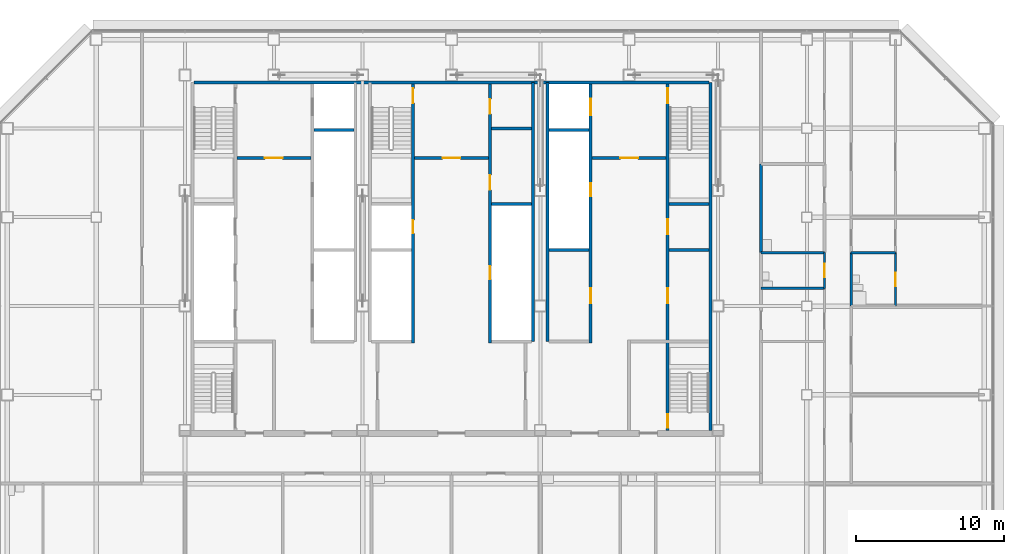
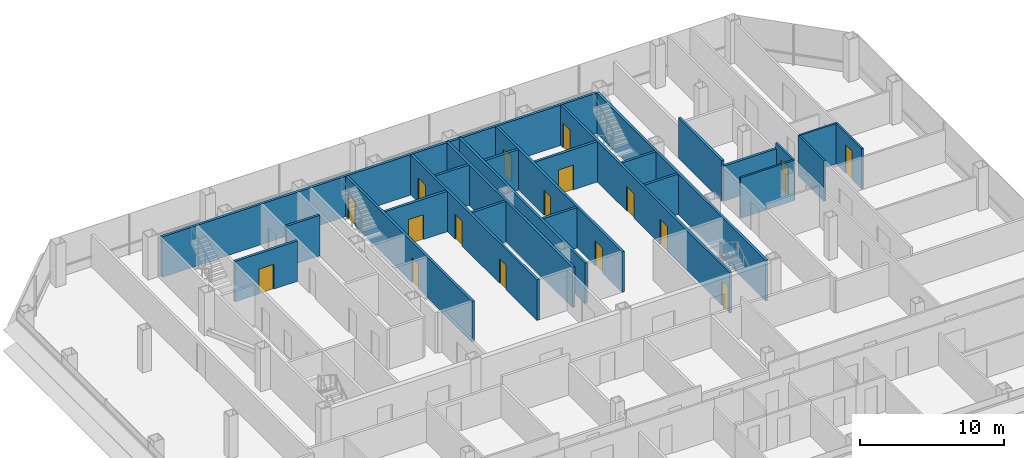
# One storey, part 22 of 25: 25 walls, 17 doors, 17 openings.
"""IFC4 building model written with IfcOpenShell, lengths in metres."""

from ifc_helpers import new_model, si_unit, direction, frame, frame_2d, origin, place, context, subcontext, project, spatial, rectangle, extrude, material, layer, layer_set, type_object, element, fill, save


model = new_model("IFC4")

# Units and contexts
model_context = context("Model", 3, precision=1e-05, world=origin(), true_north=direction((0.0, 1.0)))
body_context = subcontext(model_context, "Body", "Model", "MODEL_VIEW")
ifc_project = project(units=[si_unit("LENGTHUNIT", "METRE"), si_unit("AREAUNIT", "SQUARE_METRE"), si_unit("VOLUMEUNIT", "CUBIC_METRE"), si_unit("PLANEANGLEUNIT", "RADIAN"), si_unit("MASSUNIT", "GRAM", prefix="KILO")], contexts=[model_context])

# Site, building, storey
site_placement = place(None, origin())
site = spatial("IfcSite", under=ifc_project, at=site_placement, CompositionType="ELEMENT")
building_placement = place(site_placement, origin())
building = spatial("IfcBuilding", under=site, at=building_placement, Name="Sorahane Residences", CompositionType="ELEMENT")
storey_placement = place(building_placement, frame((0.0, 0.0, 123.199951171875)))
storey = spatial("IfcBuildingStorey", under=building, at=storey_placement, Name="L27", CompositionType="ELEMENT", Elevation=123.199951171875)

# Walls
ifc_material_1 = material(Name="Concrete C30", Category="concrete")
ifc_layer_1 = layer(ifc_material_1, 0.199951171875)
ifc_layer_set_1 = layer_set([ifc_layer_1], Name="Core face wall 200 EI 180")
wall_type_1 = type_object("IfcWallType", Name="Core face wall 200 EI 180", PredefinedType="SOLIDWALL", material=ifc_layer_set_1)
wall_1_placement = place(storey_placement, frame((41.5, 21.60009765625, 0.0), z_axis=(0.0, 0.0, 1.0), x_axis=(0.0, 1.0, 0.0)))
element("IfcWall", 1, at=wall_1_placement, inside=storey, type_object=wall_type_1, Name="L27 core face wall", PredefinedType="SOLIDWALL", context=body_context, shape_type="SweptSolid", body=[
    extrude(rectangle(XDim=23.5, YDim=0.199951171875, at=frame_2d((11.75, 0.0))), origin(), (0.0, 0.0, 1.0), 3.420166015625),
])
wall_2_placement = place(storey_placement, frame((6.60009765625, 45.10009765625, 0.0), z_axis=(0.0, 0.0, 1.0), x_axis=(1.0, 0.0, 0.0)))
element("IfcWall", 2, at=wall_2_placement, inside=storey, type_object=wall_type_1, Name="L27 core face wall", PredefinedType="SOLIDWALL", context=body_context, shape_type="SweptSolid", body=[
    extrude(rectangle(XDim=34.7998046875, YDim=0.199951171875, at=frame_2d((17.39990234375, 0.0))), origin(), (0.0, 0.0, 1.0), 3.420166015625),
])
for number, where, z_axis, x_axis, name in (
    (3, (29.5, 27.60009765625, 0.0), (0.0, 0.0, 1.0), (0.0, 1.0, 0.0), "L27 core face wall"),
    (4, (30.5, 27.60009765625, 0.0), (0.0, 0.0, 1.0), (0.0, 1.0, 0.0), "L27 core face wall"),
):
    element("IfcWall", number, at=place(storey_placement, frame(where, z_axis=z_axis, x_axis=x_axis)), inside=storey, type_object=wall_type_1, Name=name, PredefinedType="SOLIDWALL", context=body_context, shape_type="SweptSolid", body=[
        extrude(rectangle(XDim=17.5, YDim=0.199951171875, at=frame_2d((8.75, 0.0))), origin(), (0.0, 0.0, 1.0), 3.420166015625),
    ])

# Wall, opening, door
ifc_material_2 = material(Name="Concrete C30", Category="concrete")
ifc_layer_2 = layer(ifc_material_2, 0.199951171875)
ifc_layer_set_2 = layer_set([ifc_layer_2], Name="Front room wall 200 EI 120")
wall_type_2 = type_object("IfcWallType", Name="Front room wall 200 EI 120", PredefinedType="PARTITIONING", material=ifc_layer_set_2)
wall_3_placement = place(storey_placement, frame((21.5, 40.0, 0.0), z_axis=(0.0, 0.0, 1.0), x_axis=(1.0, 0.0, 0.0)))
wall_3 = element("IfcWall", 5, at=wall_3_placement, inside=storey, type_object=wall_type_2, Name="L27 front room wall", PredefinedType="PARTITIONING", context=body_context, shape_type="SweptSolid", body=[
    extrude(rectangle(XDim=5.0, YDim=0.199951171875, at=frame_2d((2.5, 0.0))), origin(), (0.0, 0.0, 1.0), 3.420166015625),
])
opening_1_placement = place(wall_3_placement, frame((1.89990234375, 0.0, 0.0)))
opening_1 = element("IfcOpeningElement", 6, at=opening_1_placement, cuts=wall_3, Name="Opening L27-C09", PredefinedType="OPENING", context=body_context, shape_type="SweptSolid", body=[
    extrude(rectangle(XDim=1.199951171875, YDim=2.10009765625, at=frame_2d((0.60009765625, 1.050048828125))), frame((0.0, 0.10986328125, 0.0), z_axis=(0.0, -1.0, 0.0), x_axis=(1.0, 0.0, 0.0)), (0.0, 0.0, 1.0), 0.219970703125),
])
ifc_material_3 = material(Name="Steel", Category="steel")
door_type_1 = type_object("IfcDoorType", Name="Front room door 1200x2100 FD120", OperationType="NOTDEFINED", PredefinedType="DOOR", material=ifc_material_3)
door_1_placement = place(opening_1_placement, frame((1.199951171875, 0.0, 0.0), z_axis=(0.0, 0.0, 1.0), x_axis=(-1.0, 0.0, 0.0)))
door_1 = element("IfcDoor", 7, at=door_1_placement, inside=storey, type_object=door_type_1, Name="Front room door Stair S3 vestibule L27", OperationType="DOUBLE_DOOR_SINGLE_SWING", OverallHeight=2.10009765625, OverallWidth=1.199951171875, PredefinedType="DOOR", context=body_context, shape_type="SweptSolid", body=[
    extrude(rectangle(XDim=1.199951171875, YDim=2.10009765625, at=frame_2d((0.60009765625, 1.050048828125))), frame((0.0, 0.02490234375, 0.0), z_axis=(0.0, -1.0, 0.0), x_axis=(1.0, 0.0, 0.0)), (0.0, 0.0, 1.0), 0.050048828125),
])
fill(opening_1, door_1)

wall_4_placement = place(storey_placement, frame((33.5, 40.0, 0.0), z_axis=(0.0, 0.0, 1.0), x_axis=(1.0, 0.0, 0.0)))
wall_4 = element("IfcWall", 8, at=wall_4_placement, inside=storey, type_object=wall_type_2, Name="L27 front room wall", PredefinedType="PARTITIONING", context=body_context, shape_type="SweptSolid", body=[
    extrude(rectangle(XDim=5.0, YDim=0.199951171875, at=frame_2d((2.5, 0.0))), origin(), (0.0, 0.0, 1.0), 3.420166015625),
])
opening_2_placement = place(wall_4_placement, frame((1.89990234375, 0.0, 0.0)))
opening_2 = element("IfcOpeningElement", 9, at=opening_2_placement, cuts=wall_4, Name="Opening L27-C10", PredefinedType="OPENING", context=body_context, shape_type="SweptSolid", body=[
    extrude(rectangle(XDim=1.199951171875, YDim=2.10009765625, at=frame_2d((0.60009765625, 1.050048828125))), frame((0.0, 0.10986328125, 0.0), z_axis=(0.0, -1.0, 0.0), x_axis=(1.0, 0.0, 0.0)), (0.0, 0.0, 1.0), 0.219970703125),
])
door_2_placement = place(opening_2_placement, frame((1.199951171875, 0.0, 0.0), z_axis=(0.0, 0.0, 1.0), x_axis=(-1.0, 0.0, 0.0)))
door_2 = element("IfcDoor", 10, at=door_2_placement, inside=storey, type_object=door_type_1, Name="Front room door Firefighting lobby FF2 front room L27", OperationType="DOUBLE_DOOR_SINGLE_SWING", OverallHeight=2.10009765625, OverallWidth=1.199951171875, PredefinedType="DOOR", context=body_context, shape_type="SweptSolid", body=[
    extrude(rectangle(XDim=1.199951171875, YDim=2.10009765625, at=frame_2d((0.60009765625, 1.050048828125))), frame((0.0, 0.02490234375, 0.0), z_axis=(0.0, -1.0, 0.0), x_axis=(1.0, 0.0, 0.0)), (0.0, 0.0, 1.0), 0.050048828125),
])
fill(opening_2, door_2)

wall_5_placement = place(storey_placement, frame((9.5, 40.0, 0.0), z_axis=(0.0, 0.0, 1.0), x_axis=(1.0, 0.0, 0.0)))
wall_5 = element("IfcWall", 11, at=wall_5_placement, inside=storey, type_object=wall_type_2, Name="L27 front room wall", PredefinedType="PARTITIONING", context=body_context, shape_type="SweptSolid", body=[
    extrude(rectangle(XDim=5.0, YDim=0.199951171875, at=frame_2d((2.5, 0.0))), origin(), (0.0, 0.0, 1.0), 3.420166015625),
])
opening_3_placement = place(wall_5_placement, frame((1.89990234375, 0.0, 0.0)))
opening_3 = element("IfcOpeningElement", 12, at=opening_3_placement, cuts=wall_5, Name="Opening L27-C08", PredefinedType="OPENING", context=body_context, shape_type="SweptSolid", body=[
    extrude(rectangle(XDim=1.199951171875, YDim=2.10009765625, at=frame_2d((0.60009765625, 1.050048828125))), frame((0.0, 0.10986328125, 0.0), z_axis=(0.0, -1.0, 0.0), x_axis=(1.0, 0.0, 0.0)), (0.0, 0.0, 1.0), 0.219970703125),
])
door_3_placement = place(opening_3_placement, frame((1.199951171875, 0.0, 0.0), z_axis=(0.0, 0.0, 1.0), x_axis=(-1.0, 0.0, 0.0)))
door_3 = element("IfcDoor", 13, at=door_3_placement, inside=storey, type_object=door_type_1, Name="Front room door Firefighting lobby FF1 front room L27", OperationType="DOUBLE_DOOR_SINGLE_SWING", OverallHeight=2.10009765625, OverallWidth=1.199951171875, PredefinedType="DOOR", context=body_context, shape_type="SweptSolid", body=[
    extrude(rectangle(XDim=1.199951171875, YDim=2.10009765625, at=frame_2d((0.60009765625, 1.050048828125))), frame((0.0, 0.02490234375, 0.0), z_axis=(0.0, -1.0, 0.0), x_axis=(1.0, 0.0, 0.0)), (0.0, 0.0, 1.0), 0.050048828125),
])
fill(opening_3, door_3)

# Walls
ifc_material_4 = material(Name="Concrete blockwork C20 wall", Category="masonry")
ifc_layer_3 = layer(ifc_material_4, 0.199951171875)
ifc_layer_set_3 = layer_set([ifc_layer_3], Name="Kitchen wall 200 EI 180")
wall_type_3 = type_object("IfcWallType", Name="Kitchen wall 200 EI 180", PredefinedType="SOLIDWALL", material=ifc_layer_set_3)
wall_6_placement = place(storey_placement, frame((44.89990234375, 33.60009765625, 0.0), z_axis=(0.0, 0.0, 1.0), x_axis=(0.0, 1.0, 0.0)))
element("IfcWall", 14, at=wall_6_placement, inside=storey, type_object=wall_type_3, Name="L27 kitchen wall", PredefinedType="SOLIDWALL", context=body_context, shape_type="SweptSolid", body=[
    extrude(rectangle(XDim=6.0, YDim=0.199951171875, at=frame_2d((3.0, 0.0))), origin(), (0.0, 0.0, 1.0), 3.420166015625),
])
wall_7_placement = place(storey_placement, frame((44.89990234375, 33.60009765625, 0.0), z_axis=(0.0, 0.0, 1.0), x_axis=(1.0, 0.0, 0.0)))
element("IfcWall", 15, at=wall_7_placement, inside=storey, type_object=wall_type_3, Name="L27 kitchen wall", PredefinedType="SOLIDWALL", context=body_context, shape_type="SweptSolid", body=[
    extrude(rectangle(XDim=4.300048828125, YDim=0.199951171875, at=frame_2d((2.14990234375, 0.0))), origin(), (0.0, 0.0, 1.0), 2.969970703125),
])

# Wall, openings, doors
ifc_material_5 = material(Name="Concrete C30", Category="concrete")
ifc_layer_4 = layer(ifc_material_5, 0.199951171875)
ifc_layer_set_4 = layer_set([ifc_layer_4], Name="Lift shaft wall 200 EI 120")
wall_type_4 = type_object("IfcWallType", Name="Lift shaft wall 200 EI 120", PredefinedType="SOLIDWALL", material=ifc_layer_set_4)
wall_8_placement = place(storey_placement, frame((33.39990234375, 27.5, 0.0), z_axis=(0.0, 0.0, 1.0), x_axis=(0.0, 1.0, 0.0)))
wall_8 = element("IfcWall", 16, at=wall_8_placement, inside=storey, type_object=wall_type_4, Name="L27 lift shaft wall", PredefinedType="SOLIDWALL", context=body_context, shape_type="SweptSolid", body=[
    extrude(rectangle(XDim=17.5, YDim=0.199951171875, at=frame_2d((8.75, 0.0))), origin(), (0.0, 0.0, 1.0), 3.420166015625),
])
opening_4_placement = place(wall_8_placement, frame((15.39990234375, 0.0, 0.0)))
opening_4 = element("IfcOpeningElement", 17, at=opening_4_placement, cuts=wall_8, Name="Opening L27-C11", PredefinedType="OPENING", context=body_context, shape_type="SweptSolid", body=[
    extrude(rectangle(XDim=1.10009765625, YDim=2.10009765625, at=frame_2d((0.550048828125, 1.050048828125))), frame((0.0, 0.10986328125, 0.0), z_axis=(0.0, -1.0, 0.0), x_axis=(1.0, 0.0, 0.0)), (0.0, 0.0, 1.0), 0.219970703125),
])
opening_5_placement = place(wall_8_placement, frame((2.699951171875, 0.0, 0.0)))
opening_5 = element("IfcOpeningElement", 18, at=opening_5_placement, cuts=wall_8, Name="Opening L27-C20", PredefinedType="OPENING", context=body_context, shape_type="SweptSolid", body=[
    extrude(rectangle(XDim=1.0, YDim=2.10009765625, at=frame_2d((0.5, 1.050048828125))), frame((0.0, 0.10986328125, 0.0), z_axis=(0.0, -1.0, 0.0), x_axis=(1.0, 0.0, 0.0)), (0.0, 0.0, 1.0), 0.219970703125),
])
opening_6_placement = place(wall_8_placement, frame((9.89990234375, 0.0, 0.0)))
opening_6 = element("IfcOpeningElement", 19, at=opening_6_placement, cuts=wall_8, Name="Opening L27-C27", PredefinedType="OPENING", context=body_context, shape_type="SweptSolid", body=[
    extrude(rectangle(XDim=0.89990234375, YDim=2.10009765625, at=frame_2d((0.449951171875, 1.050048828125))), frame((0.0, 0.10986328125, 0.0), z_axis=(0.0, -1.0, 0.0), x_axis=(1.0, 0.0, 0.0)), (0.0, 0.0, 1.0), 0.219970703125),
])
ifc_material_6 = material(Name="Aluminium and stainless steel", Category="steel")
door_type_2 = type_object("IfcDoorType", Name="Lift landing door 1100x2100 E 60", OperationType="NOTDEFINED", PredefinedType="DOOR", material=ifc_material_6)
door_4_placement = place(opening_4_placement, origin())
door_4 = element("IfcDoor", 20, at=door_4_placement, inside=storey, type_object=door_type_2, Name="Lift landing door FF2 L27", OperationType="DOUBLE_DOOR_SLIDING", OverallHeight=2.10009765625, OverallWidth=1.10009765625, PredefinedType="DOOR", context=body_context, shape_type="SweptSolid", body=[
    extrude(rectangle(XDim=1.10009765625, YDim=2.10009765625, at=frame_2d((0.550048828125, 1.050048828125))), frame((0.0, 0.02490234375, 0.0), z_axis=(0.0, -1.0, 0.0), x_axis=(1.0, 0.0, 0.0)), (0.0, 0.0, 1.0), 0.050048828125),
])
fill(opening_4, door_4)
ifc_material_7 = material(Name="Steel", Category="steel")
door_type_3 = type_object("IfcDoorType", Name="Riser door 900x2100 FD120", OperationType="NOTDEFINED", PredefinedType="DOOR", material=ifc_material_7)
door_5_placement = place(opening_6_placement, frame((0.89990234375, 0.0, 0.0), z_axis=(0.0, 0.0, 1.0), x_axis=(-1.0, 0.0, 0.0)))
door_5 = element("IfcDoor", 21, at=door_5_placement, inside=storey, type_object=door_type_3, Name="Riser door R2 L27", OperationType="SINGLE_SWING_LEFT", OverallHeight=2.10009765625, OverallWidth=0.89990234375, PredefinedType="DOOR", context=body_context, shape_type="SweptSolid", body=[
    extrude(rectangle(XDim=0.89990234375, YDim=2.10009765625, at=frame_2d((0.449951171875, 1.050048828125))), frame((0.0, 0.02490234375, 0.0), z_axis=(0.0, -1.0, 0.0), x_axis=(1.0, 0.0, 0.0)), (0.0, 0.0, 1.0), 0.050048828125),
])
fill(opening_6, door_5)
ifc_material_8 = material(Name="Steel", Category="steel")
door_type_4 = type_object("IfcDoorType", Name="Service room door 1000x2100 FD60", OperationType="NOTDEFINED", PredefinedType="DOOR", material=ifc_material_8)
door_6_placement = place(opening_5_placement, origin())
door_6 = element("IfcDoor", 22, at=door_6_placement, inside=storey, type_object=door_type_4, Name="Service room door Quiet room L27", OperationType="SINGLE_SWING_RIGHT", OverallHeight=2.10009765625, OverallWidth=1.0, PredefinedType="DOOR", context=body_context, shape_type="SweptSolid", body=[
    extrude(rectangle(XDim=1.0, YDim=2.10009765625, at=frame_2d((0.5, 1.050048828125))), frame((0.0, 0.02490234375, 0.0), z_axis=(0.0, -1.0, 0.0), x_axis=(1.0, 0.0, 0.0)), (0.0, 0.0, 1.0), 0.050048828125),
])
fill(opening_5, door_6)

# Walls
for number, where, z_axis, x_axis, name in (
    (23, (14.699951171875, 41.89990234375, 0.0), (0.0, 0.0, 1.0), (1.0, 0.0, 0.0), "L27 lift shaft wall"),
    (24, (30.60009765625, 41.89990234375, 0.0), (0.0, 0.0, 1.0), (1.0, 0.0, 0.0), "L27 lift shaft wall"),
):
    element("IfcWall", number, at=place(storey_placement, frame(where, z_axis=z_axis, x_axis=x_axis)), inside=storey, type_object=wall_type_4, Name=name, PredefinedType="SOLIDWALL", context=body_context, shape_type="SweptSolid", body=[
        extrude(rectangle(XDim=2.699951171875, YDim=0.199951171875, at=frame_2d((1.35009765625, 0.0))), origin(), (0.0, 0.0, 1.0), 3.420166015625),
    ])

# Wall, openings, doors
ifc_material_9 = material(Name="Concrete C30", Category="concrete")
ifc_layer_5 = layer(ifc_material_9, 0.199951171875)
ifc_layer_set_5 = layer_set([ifc_layer_5], Name="Riser shaft wall 200 EI 120")
wall_type_5 = type_object("IfcWallType", Name="Riser shaft wall 200 EI 120", PredefinedType="SOLIDWALL", material=ifc_layer_set_5)
wall_9_placement = place(storey_placement, frame((26.60009765625, 27.5, 0.0), z_axis=(0.0, 0.0, 1.0), x_axis=(0.0, 1.0, 0.0)))
wall_9 = element("IfcWall", 25, at=wall_9_placement, inside=storey, type_object=wall_type_5, Name="L27 riser wall", PredefinedType="SOLIDWALL", context=body_context, shape_type="SweptSolid", body=[
    extrude(rectangle(XDim=17.5, YDim=0.199951171875, at=frame_2d((8.75, 0.0))), origin(), (0.0, 0.0, 1.0), 3.420166015625),
])
opening_7_placement = place(wall_9_placement, frame((4.300048828125, 0.0, 0.0)))
opening_7 = element("IfcOpeningElement", 26, at=opening_7_placement, cuts=wall_9, Name="Opening L27-C29", PredefinedType="OPENING", context=body_context, shape_type="SweptSolid", body=[
    extrude(rectangle(XDim=0.89990234375, YDim=2.10009765625, at=frame_2d((0.449951171875, 1.050048828125))), frame((0.0, 0.10986328125, 0.0), z_axis=(0.0, -1.0, 0.0), x_axis=(1.0, 0.0, 0.0)), (0.0, 0.0, 1.0), 0.219970703125),
])
opening_8_placement = place(wall_9_placement, frame((10.35009765625, 0.0, 0.0)))
opening_8 = element("IfcOpeningElement", 27, at=opening_8_placement, cuts=wall_9, Name="Opening L27-C30", PredefinedType="OPENING", context=body_context, shape_type="SweptSolid", body=[
    extrude(rectangle(XDim=1.0, YDim=2.10009765625, at=frame_2d((0.5, 1.050048828125))), frame((0.0, 0.10986328125, 0.0), z_axis=(0.0, -1.0, 0.0), x_axis=(1.0, 0.0, 0.0)), (0.0, 0.0, 1.0), 0.219970703125),
])
opening_9_placement = place(wall_9_placement, frame((15.47509765625, 0.0, 0.0)))
opening_9 = element("IfcOpeningElement", 28, at=opening_9_placement, cuts=wall_9, Name="Opening L27-C31", PredefinedType="OPENING", context=body_context, shape_type="SweptSolid", body=[
    extrude(rectangle(XDim=1.0, YDim=2.10009765625, at=frame_2d((0.5, 1.050048828125))), frame((0.0, 0.10986328125, 0.0), z_axis=(0.0, -1.0, 0.0), x_axis=(1.0, 0.0, 0.0)), (0.0, 0.0, 1.0), 0.219970703125),
])
door_7_placement = place(opening_7_placement, origin())
door_7 = element("IfcDoor", 29, at=door_7_placement, inside=storey, type_object=door_type_3, Name="Riser door R4 L27", OperationType="SINGLE_SWING_LEFT", OverallHeight=2.10009765625, OverallWidth=0.89990234375, PredefinedType="DOOR", context=body_context, shape_type="SweptSolid", body=[
    extrude(rectangle(XDim=0.89990234375, YDim=2.10009765625, at=frame_2d((0.449951171875, 1.050048828125))), frame((0.0, 0.02490234375, 0.0), z_axis=(0.0, -1.0, 0.0), x_axis=(1.0, 0.0, 0.0)), (0.0, 0.0, 1.0), 0.050048828125),
])
fill(opening_7, door_7)
door_8_placement = place(opening_8_placement, frame((1.0, 0.0, 0.0), z_axis=(0.0, 0.0, 1.0), x_axis=(-1.0, 0.0, 0.0)))
door_8 = element("IfcDoor", 30, at=door_8_placement, inside=storey, type_object=door_type_4, Name="Service room door Parcel room L27", OperationType="SINGLE_SWING_LEFT", OverallHeight=2.10009765625, OverallWidth=1.0, PredefinedType="DOOR", context=body_context, shape_type="SweptSolid", body=[
    extrude(rectangle(XDim=1.0, YDim=2.10009765625, at=frame_2d((0.5, 1.050048828125))), frame((0.0, 0.02490234375, 0.0), z_axis=(0.0, -1.0, 0.0), x_axis=(1.0, 0.0, 0.0)), (0.0, 0.0, 1.0), 0.050048828125),
])
fill(opening_8, door_8)
door_9_placement = place(opening_9_placement, frame((1.0, 0.0, 0.0), z_axis=(0.0, 0.0, 1.0), x_axis=(-1.0, 0.0, 0.0)))
door_9 = element("IfcDoor", 31, at=door_9_placement, inside=storey, type_object=door_type_4, Name="Service room door Refuse room L27", OperationType="SINGLE_SWING_RIGHT", OverallHeight=2.10009765625, OverallWidth=1.0, PredefinedType="DOOR", context=body_context, shape_type="SweptSolid", body=[
    extrude(rectangle(XDim=1.0, YDim=2.10009765625, at=frame_2d((0.5, 1.050048828125))), frame((0.0, 0.02490234375, 0.0), z_axis=(0.0, -1.0, 0.0), x_axis=(1.0, 0.0, 0.0)), (0.0, 0.0, 1.0), 0.050048828125),
])
fill(opening_9, door_9)

# Walls
for number, where, z_axis, x_axis, name in (
    (32, (30.60009765625, 33.800048828125, 0.0), (0.0, 0.0, 1.0), (1.0, 0.0, 0.0), "L27 riser wall"),
    (33, (26.699951171875, 36.89990234375, 0.0), (0.0, 0.0, 1.0), (1.0, 0.0, 0.0), "L27 riser wall"),
):
    element("IfcWall", number, at=place(storey_placement, frame(where, z_axis=z_axis, x_axis=x_axis)), inside=storey, type_object=wall_type_5, Name=name, PredefinedType="SOLIDWALL", context=body_context, shape_type="SweptSolid", body=[
        extrude(rectangle(XDim=2.699951171875, YDim=0.199951171875, at=frame_2d((1.35009765625, 0.0))), origin(), (0.0, 0.0, 1.0), 3.420166015625),
    ])
ifc_material_10 = material(Name="Concrete C30", Category="concrete")
ifc_layer_6 = layer(ifc_material_10, 0.199951171875)
ifc_layer_set_6 = layer_set([ifc_layer_6], Name="Service room partition 200 EI 60")
wall_type_6 = type_object("IfcWallType", Name="Service room partition 200 EI 60", PredefinedType="PARTITIONING", material=ifc_layer_set_6)
for number, where, z_axis, x_axis, name in (
    (34, (38.699951171875, 33.800048828125, 0.0), (0.0, 0.0, 1.0), (1.0, 0.0, 0.0), "L27 service room wall"),
    (35, (26.699951171875, 42.0, 0.0), (0.0, 0.0, 1.0), (1.0, 0.0, 0.0), "L27 service room wall"),
):
    element("IfcWall", number, at=place(storey_placement, frame(where, z_axis=z_axis, x_axis=x_axis)), inside=storey, type_object=wall_type_6, Name=name, PredefinedType="PARTITIONING", context=body_context, shape_type="SweptSolid", body=[
        extrude(rectangle(XDim=2.699951171875, YDim=0.199951171875, at=frame_2d((1.35009765625, 0.0))), origin(), (0.0, 0.0, 1.0), 3.420166015625),
    ])

# Wall, openings, doors
ifc_material_11 = material(Name="Concrete C30", Category="concrete")
ifc_layer_7 = layer(ifc_material_11, 0.199951171875)
ifc_layer_set_7 = layer_set([ifc_layer_7], Name="Stair enclosure wall 200 EI 120")
wall_type_7 = type_object("IfcWallType", Name="Stair enclosure wall 200 EI 120", PredefinedType="SOLIDWALL", material=ifc_layer_set_7)
wall_10_placement = place(storey_placement, frame((21.39990234375, 27.5, 0.0), z_axis=(0.0, 0.0, 1.0), x_axis=(0.0, 1.0, 0.0)))
wall_10 = element("IfcWall", 36, at=wall_10_placement, inside=storey, type_object=wall_type_7, Name="L27 stair enclosure wall", PredefinedType="SOLIDWALL", context=body_context, shape_type="SweptSolid", body=[
    extrude(rectangle(XDim=17.5, YDim=0.199951171875, at=frame_2d((8.75, 0.0))), origin(), (0.0, 0.0, 1.0), 3.420166015625),
])
opening_10_placement = place(wall_10_placement, frame((16.199951171875, 0.0, 0.0)))
opening_10 = element("IfcOpeningElement", 37, at=opening_10_placement, cuts=wall_10, Name="Opening L27-C23", PredefinedType="OPENING", context=body_context, shape_type="SweptSolid", body=[
    extrude(rectangle(XDim=1.0, YDim=2.10009765625, at=frame_2d((0.5, 1.050048828125))), frame((0.0, 0.10986328125, 0.0), z_axis=(0.0, -1.0, 0.0), x_axis=(1.0, 0.0, 0.0)), (0.0, 0.0, 1.0), 0.219970703125),
])
opening_11_placement = place(wall_10_placement, frame((7.39990234375, 0.0, 0.0)))
opening_11 = element("IfcOpeningElement", 38, at=opening_11_placement, cuts=wall_10, Name="Opening L27-C28", PredefinedType="OPENING", context=body_context, shape_type="SweptSolid", body=[
    extrude(rectangle(XDim=0.89990234375, YDim=2.10009765625, at=frame_2d((0.449951171875, 1.050048828125))), frame((0.0, 0.10986328125, 0.0), z_axis=(0.0, -1.0, 0.0), x_axis=(1.0, 0.0, 0.0)), (0.0, 0.0, 1.0), 0.219970703125),
])
door_10_placement = place(opening_11_placement, frame((0.89990234375, 0.0, 0.0), z_axis=(0.0, 0.0, 1.0), x_axis=(-1.0, 0.0, 0.0)))
door_10 = element("IfcDoor", 39, at=door_10_placement, inside=storey, type_object=door_type_3, Name="Riser door R3 L27", OperationType="SINGLE_SWING_LEFT", OverallHeight=2.10009765625, OverallWidth=0.89990234375, PredefinedType="DOOR", context=body_context, shape_type="SweptSolid", body=[
    extrude(rectangle(XDim=0.89990234375, YDim=2.10009765625, at=frame_2d((0.449951171875, 1.050048828125))), frame((0.0, 0.02490234375, 0.0), z_axis=(0.0, -1.0, 0.0), x_axis=(1.0, 0.0, 0.0)), (0.0, 0.0, 1.0), 0.050048828125),
])
fill(opening_11, door_10)
ifc_material_12 = material(Name="Steel", Category="steel")
door_type_5 = type_object("IfcDoorType", Name="Stair door 1000x2100 FD120", OperationType="NOTDEFINED", PredefinedType="DOOR", material=ifc_material_12)
door_11_placement = place(opening_10_placement, origin())
door_11 = element("IfcDoor", 40, at=door_11_placement, inside=storey, type_object=door_type_5, Name="Stair door S3 L27", OperationType="SINGLE_SWING_LEFT", OverallHeight=2.10009765625, OverallWidth=1.0, PredefinedType="DOOR", context=body_context, shape_type="SweptSolid", body=[
    extrude(rectangle(XDim=1.0, YDim=2.10009765625, at=frame_2d((0.5, 1.050048828125))), frame((0.0, 0.02490234375, 0.0), z_axis=(0.0, -1.0, 0.0), x_axis=(1.0, 0.0, 0.0)), (0.0, 0.0, 1.0), 0.050048828125),
])
fill(opening_10, door_11)

wall_11_placement = place(storey_placement, frame((38.60009765625, 21.60009765625, 0.0), z_axis=(0.0, 0.0, 1.0), x_axis=(0.0, 1.0, 0.0)))
wall_11 = element("IfcWall", 41, at=wall_11_placement, inside=storey, type_object=wall_type_7, Name="L27 stair enclosure wall", PredefinedType="SOLIDWALL", context=body_context, shape_type="SweptSolid", body=[
    extrude(rectangle(XDim=23.39990234375, YDim=0.199951171875, at=frame_2d((11.699951171875, 0.0))), origin(), (0.0, 0.0, 1.0), 3.420166015625),
])
opening_12_placement = place(wall_11_placement, frame((8.60009765625, 0.0, 0.0)))
opening_12 = element("IfcOpeningElement", 42, at=opening_12_placement, cuts=wall_11, Name="Opening L27-C18", PredefinedType="OPENING", context=body_context, shape_type="SweptSolid", body=[
    extrude(rectangle(XDim=1.0, YDim=2.10009765625, at=frame_2d((0.5, 1.050048828125))), frame((0.0, 0.10986328125, 0.0), z_axis=(0.0, -1.0, 0.0), x_axis=(1.0, 0.0, 0.0)), (0.0, 0.0, 1.0), 0.219970703125),
])
opening_13_placement = place(wall_11_placement, frame((13.25, 0.0, 0.0)))
opening_13 = element("IfcOpeningElement", 43, at=opening_13_placement, cuts=wall_11, Name="Opening L27-C19", PredefinedType="OPENING", context=body_context, shape_type="SweptSolid", body=[
    extrude(rectangle(XDim=1.0, YDim=2.10009765625, at=frame_2d((0.5, 1.050048828125))), frame((0.0, 0.10986328125, 0.0), z_axis=(0.0, -1.0, 0.0), x_axis=(1.0, 0.0, 0.0)), (0.0, 0.0, 1.0), 0.219970703125),
])
opening_14_placement = place(wall_11_placement, frame((22.10009765625, 0.0, 0.0)))
opening_14 = element("IfcOpeningElement", 44, at=opening_14_placement, cuts=wall_11, Name="Opening L27-C22", PredefinedType="OPENING", context=body_context, shape_type="SweptSolid", body=[
    extrude(rectangle(XDim=1.0, YDim=2.10009765625, at=frame_2d((0.5, 1.050048828125))), frame((0.0, 0.10986328125, 0.0), z_axis=(0.0, -1.0, 0.0), x_axis=(1.0, 0.0, 0.0)), (0.0, 0.0, 1.0), 0.219970703125),
])
opening_15_placement = place(wall_11_placement, frame((0.175048828125, 0.0, 0.0)))
opening_15 = element("IfcOpeningElement", 45, at=opening_15_placement, cuts=wall_11, Name="Opening L27-C25", PredefinedType="OPENING", context=body_context, shape_type="SweptSolid", body=[
    extrude(rectangle(XDim=0.89990234375, YDim=2.10009765625, at=frame_2d((0.449951171875, 1.050048828125))), frame((0.0, 0.10986328125, 0.0), z_axis=(0.0, -1.0, 0.0), x_axis=(1.0, 0.0, 0.0)), (0.0, 0.0, 1.0), 0.219970703125),
])
door_12_placement = place(opening_12_placement, frame((1.0, 0.0, 0.0), z_axis=(0.0, 0.0, 1.0), x_axis=(-1.0, 0.0, 0.0)))
door_12 = element("IfcDoor", 46, at=door_12_placement, inside=storey, type_object=door_type_4, Name="Service room door Quiet room L27", OperationType="SINGLE_SWING_RIGHT", OverallHeight=2.10009765625, OverallWidth=1.0, PredefinedType="DOOR", context=body_context, shape_type="SweptSolid", body=[
    extrude(rectangle(XDim=1.0, YDim=2.10009765625, at=frame_2d((0.5, 1.050048828125))), frame((0.0, 0.02490234375, 0.0), z_axis=(0.0, -1.0, 0.0), x_axis=(1.0, 0.0, 0.0)), (0.0, 0.0, 1.0), 0.050048828125),
])
fill(opening_12, door_12)
door_13_placement = place(opening_13_placement, frame((1.0, 0.0, 0.0), z_axis=(0.0, 0.0, 1.0), x_axis=(-1.0, 0.0, 0.0)))
door_13 = element("IfcDoor", 47, at=door_13_placement, inside=storey, type_object=door_type_4, Name="Service room door Quiet room L27", OperationType="SINGLE_SWING_LEFT", OverallHeight=2.10009765625, OverallWidth=1.0, PredefinedType="DOOR", context=body_context, shape_type="SweptSolid", body=[
    extrude(rectangle(XDim=1.0, YDim=2.10009765625, at=frame_2d((0.5, 1.050048828125))), frame((0.0, 0.02490234375, 0.0), z_axis=(0.0, -1.0, 0.0), x_axis=(1.0, 0.0, 0.0)), (0.0, 0.0, 1.0), 0.050048828125),
])
fill(opening_13, door_13)
door_14_placement = place(opening_14_placement, frame((1.0, 0.0, 0.0), z_axis=(0.0, 0.0, 1.0), x_axis=(-1.0, 0.0, 0.0)))
door_14 = element("IfcDoor", 48, at=door_14_placement, inside=storey, type_object=door_type_5, Name="Stair door S2 L27", OperationType="SINGLE_SWING_LEFT", OverallHeight=2.10009765625, OverallWidth=1.0, PredefinedType="DOOR", context=body_context, shape_type="SweptSolid", body=[
    extrude(rectangle(XDim=1.0, YDim=2.10009765625, at=frame_2d((0.5, 1.050048828125))), frame((0.0, 0.02490234375, 0.0), z_axis=(0.0, -1.0, 0.0), x_axis=(1.0, 0.0, 0.0)), (0.0, 0.0, 1.0), 0.050048828125),
])
fill(opening_14, door_14)
ifc_material_13 = material(Name="Steel", Category="steel")
door_type_6 = type_object("IfcDoorType", Name="Stair door 900x2100 FD120", OperationType="NOTDEFINED", PredefinedType="DOOR", material=ifc_material_13)
door_15_placement = place(opening_15_placement, frame((0.89990234375, 0.0, 0.0), z_axis=(0.0, 0.0, 1.0), x_axis=(-1.0, 0.0, 0.0)))
door_15 = element("IfcDoor", 49, at=door_15_placement, inside=storey, type_object=door_type_6, Name="Stair door S5 L27", OperationType="SINGLE_SWING_LEFT", OverallHeight=2.10009765625, OverallWidth=0.89990234375, PredefinedType="DOOR", context=body_context, shape_type="SweptSolid", body=[
    extrude(rectangle(XDim=0.89990234375, YDim=2.10009765625, at=frame_2d((0.449951171875, 1.050048828125))), frame((0.0, 0.02490234375, 0.0), z_axis=(0.0, -1.0, 0.0), x_axis=(1.0, 0.0, 0.0)), (0.0, 0.0, 1.0), 0.050048828125),
])
fill(opening_15, door_15)

# Wall
wall_12_placement = place(storey_placement, frame((38.699951171875, 36.89990234375, 0.0), z_axis=(0.0, 0.0, 1.0), x_axis=(1.0, 0.0, 0.0)))
element("IfcWall", 50, at=wall_12_placement, inside=storey, type_object=wall_type_7, Name="L27 stair enclosure wall", PredefinedType="SOLIDWALL", context=body_context, shape_type="SweptSolid", body=[
    extrude(rectangle(XDim=2.699951171875, YDim=0.199951171875, at=frame_2d((1.35009765625, 0.0))), origin(), (0.0, 0.0, 1.0), 3.420166015625),
])

# Wall, opening, door
ifc_material_14 = material(Name="Gypsum board partition on steel studs", Category="steel")
ifc_layer_8 = layer(ifc_material_14, 0.14990234375)
ifc_layer_set_8 = layer_set([ifc_layer_8], Name="Wet wall 150 EI 90")
wall_type_8 = type_object("IfcWallType", Name="Wet wall 150 EI 90", PredefinedType="PARTITIONING", material=ifc_layer_set_8)
wall_13_placement = place(storey_placement, frame((49.199951171875, 31.199951171875, 0.0), z_axis=(0.0, 0.0, 1.0), x_axis=(0.0, 1.0, 0.0)))
wall_13 = element("IfcWall", 51, at=wall_13_placement, inside=storey, type_object=wall_type_8, Name="L27 wet wall", PredefinedType="PARTITIONING", context=body_context, shape_type="SweptSolid", body=[
    extrude(rectangle(XDim=2.400146484375, YDim=0.14990234375, at=frame_2d((1.2001953125, 0.0))), origin(), (0.0, 0.0, 1.0), 3.420166015625),
])
opening_16_placement = place(wall_13_placement, frame((0.75, 0.0, 0.0)))
opening_16 = element("IfcOpeningElement", 52, at=opening_16_placement, cuts=wall_13, Name="Opening L27-30", PredefinedType="OPENING", context=body_context, shape_type="SweptSolid", body=[
    extrude(rectangle(XDim=0.89990234375, YDim=2.39990234375, at=frame_2d((0.449951171875, 1.199951171875))), frame((0.0, 0.0849609375, 0.0), z_axis=(0.0, -1.0, 0.0), x_axis=(1.0, 0.0, 0.0)), (0.0, 0.0, 1.0), 0.169921875),
])
ifc_material_15 = material(Name="Timber veneered fire door", Category="wood")
door_type_7 = type_object("IfcDoorType", Name="Bathroom door 900x2400 FD30", OperationType="NOTDEFINED", PredefinedType="DOOR", material=ifc_material_15)
door_16_placement = place(opening_16_placement, frame((0.89990234375, 0.0, 0.0), z_axis=(0.0, 0.0, 1.0), x_axis=(-1.0, 0.0, 0.0)))
door_16 = element("IfcDoor", 53, at=door_16_placement, inside=storey, type_object=door_type_7, Name="Bathroom door L27-30", OperationType="SINGLE_SWING_LEFT", OverallHeight=2.39990234375, OverallWidth=0.89990234375, PredefinedType="DOOR", context=body_context, shape_type="SweptSolid", body=[
    extrude(rectangle(XDim=0.89990234375, YDim=2.39990234375, at=frame_2d((0.449951171875, 1.199951171875))), frame((0.0, 0.02490234375, 0.0), z_axis=(0.0, -1.0, 0.0), x_axis=(1.0, 0.0, 0.0)), (0.0, 0.0, 1.0), 0.050048828125),
])
fill(opening_16, door_16)

# Wall
wall_14_placement = place(storey_placement, frame((51.0, 30.0, 0.0), z_axis=(0.0, 0.0, 1.0), x_axis=(0.0, 1.0, 0.0)))
element("IfcWall", 54, at=wall_14_placement, inside=storey, type_object=wall_type_8, Name="L27 wet wall", PredefinedType="PARTITIONING", context=body_context, shape_type="SweptSolid", body=[
    extrude(rectangle(XDim=3.60009765625, YDim=0.14990234375, at=frame_2d((1.800048828125, 0.0))), origin(), (0.0, 0.0, 1.0), 3.420166015625),
])

# Wall, opening, door
wall_15_placement = place(storey_placement, frame((54.0, 30.0, 0.0), z_axis=(0.0, 0.0, 1.0), x_axis=(0.0, 1.0, 0.0)))
wall_15 = element("IfcWall", 55, at=wall_15_placement, inside=storey, type_object=wall_type_8, Name="L27 wet wall", PredefinedType="PARTITIONING", context=body_context, shape_type="SweptSolid", body=[
    extrude(rectangle(XDim=3.60009765625, YDim=0.14990234375, at=frame_2d((1.800048828125, 0.0))), origin(), (0.0, 0.0, 1.0), 3.420166015625),
])
opening_17_placement = place(wall_15_placement, frame((1.35009765625, 0.0, 0.0)))
opening_17 = element("IfcOpeningElement", 56, at=opening_17_placement, cuts=wall_15, Name="Opening L27-38", PredefinedType="OPENING", context=body_context, shape_type="SweptSolid", body=[
    extrude(rectangle(XDim=0.89990234375, YDim=2.39990234375, at=frame_2d((0.449951171875, 1.199951171875))), frame((0.0, 0.0849609375, 0.0), z_axis=(0.0, -1.0, 0.0), x_axis=(1.0, 0.0, 0.0)), (0.0, 0.0, 1.0), 0.169921875),
])
door_17_placement = place(opening_17_placement, frame((0.89990234375, 0.0, 0.0), z_axis=(0.0, 0.0, 1.0), x_axis=(-1.0, 0.0, 0.0)))
door_17 = element("IfcDoor", 57, at=door_17_placement, inside=storey, type_object=door_type_7, Name="Bathroom door L27-38", OperationType="SINGLE_SWING_LEFT", OverallHeight=2.39990234375, OverallWidth=0.89990234375, PredefinedType="DOOR", context=body_context, shape_type="SweptSolid", body=[
    extrude(rectangle(XDim=0.89990234375, YDim=2.39990234375, at=frame_2d((0.449951171875, 1.199951171875))), frame((0.0, 0.02490234375, 0.0), z_axis=(0.0, -1.0, 0.0), x_axis=(1.0, 0.0, 0.0)), (0.0, 0.0, 1.0), 0.050048828125),
])
fill(opening_17, door_17)

# Walls
wall_16_placement = place(storey_placement, frame((44.89990234375, 31.199951171875, 0.0), z_axis=(0.0, 0.0, 1.0), x_axis=(1.0, 0.0, 0.0)))
element("IfcWall", 58, at=wall_16_placement, inside=storey, type_object=wall_type_8, Name="L27 wet wall", PredefinedType="PARTITIONING", context=body_context, shape_type="SweptSolid", body=[
    extrude(rectangle(XDim=4.300048828125, YDim=0.14990234375, at=frame_2d((2.14990234375, 0.0))), origin(), (0.0, 0.0, 1.0), 3.420166015625),
])
wall_17_placement = place(storey_placement, frame((51.0, 33.60009765625, 0.0), z_axis=(0.0, 0.0, 1.0), x_axis=(1.0, 0.0, 0.0)))
element("IfcWall", 59, at=wall_17_placement, inside=storey, type_object=wall_type_8, Name="L27 wet wall", PredefinedType="PARTITIONING", context=body_context, shape_type="SweptSolid", body=[
    extrude(rectangle(XDim=3.0, YDim=0.14990234375, at=frame_2d((1.5, 0.0))), origin(), (0.0, 0.0, 1.0), 3.420166015625),
])

save(model, "model.ifc")
